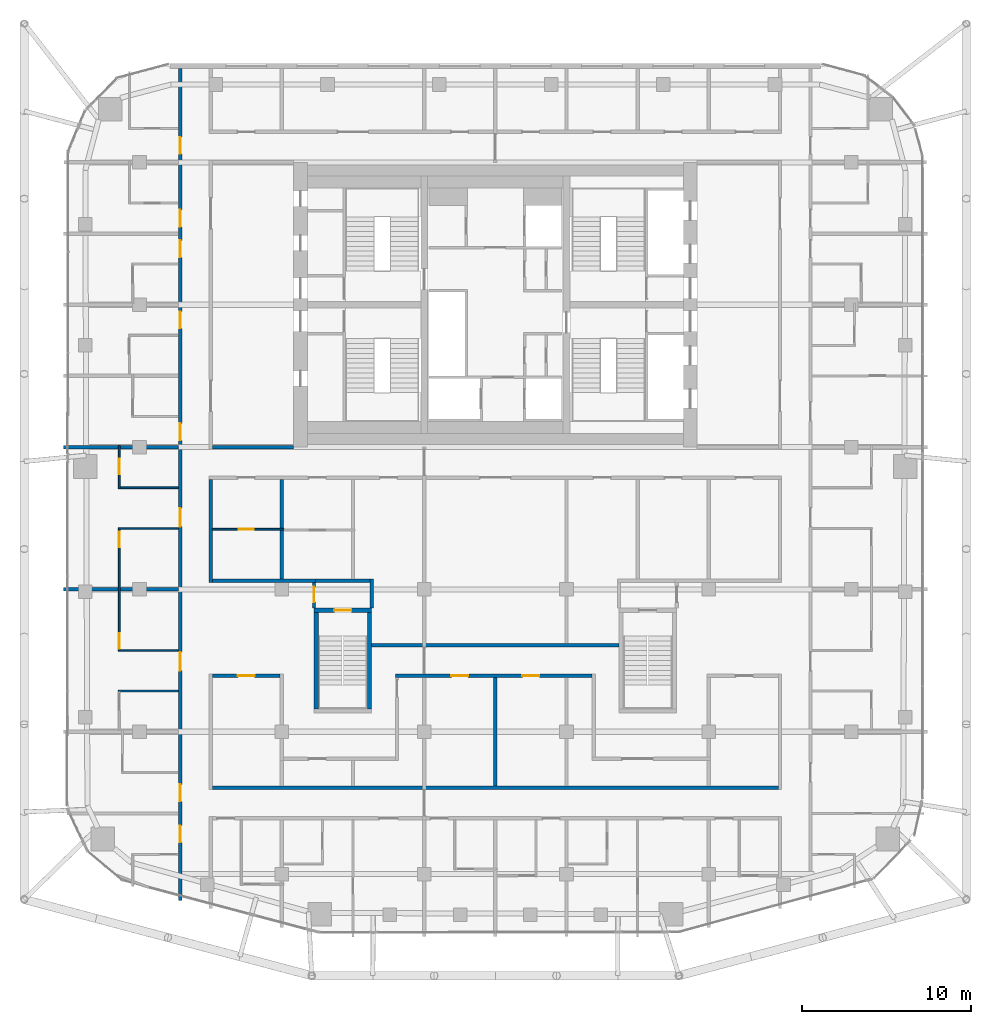
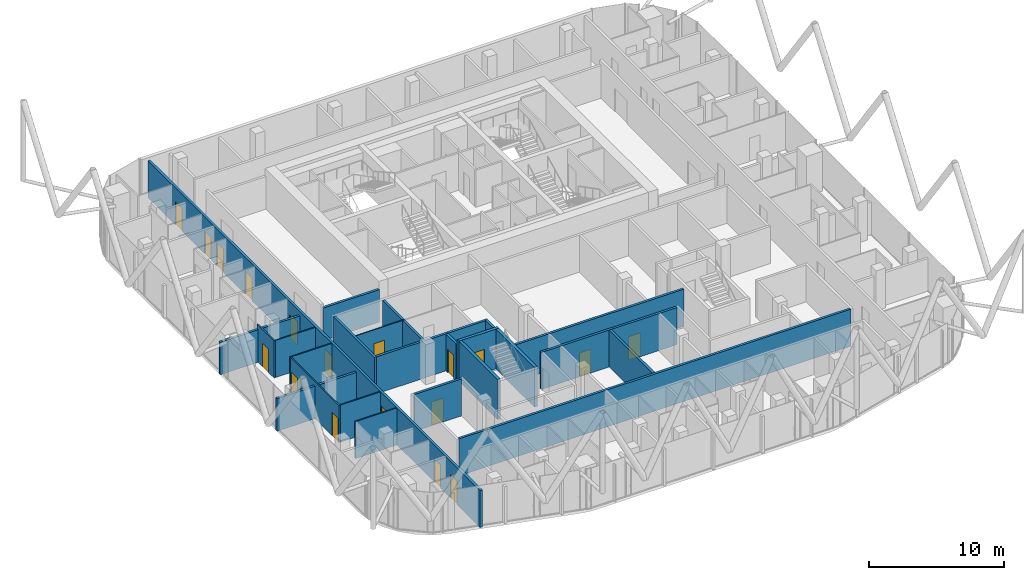
# One storey, part 24 of 31: 25 walls, 18 doors, 18 openings.
"""IFC4 building model written with IfcOpenShell, lengths in metres."""

from ifc_helpers import new_model, si_unit, direction, frame, frame_2d, origin, place, context, subcontext, project, spatial, rectangle, extrude, material, layer, layer_set, type_object, element, fill, save


model = new_model("IFC4")

# Units and contexts
model_context = context("Model", 3, precision=1e-05, world=origin(), true_north=direction((0.0, 1.0)))
body_context = subcontext(model_context, "Body", "Model", "MODEL_VIEW")
ifc_project = project(units=[si_unit("LENGTHUNIT", "METRE"), si_unit("AREAUNIT", "SQUARE_METRE"), si_unit("VOLUMEUNIT", "CUBIC_METRE"), si_unit("PLANEANGLEUNIT", "RADIAN"), si_unit("MASSUNIT", "GRAM", prefix="KILO")], contexts=[model_context])

# Site, building, storey
site_placement = place(None, origin())
site = spatial("IfcSite", under=ifc_project, at=site_placement, CompositionType="ELEMENT")
building_placement = place(site_placement, origin())
building = spatial("IfcBuilding", under=site, at=building_placement, Name="Marenta Gate Hotel Tower", CompositionType="ELEMENT")
storey_placement = place(building_placement, frame((0.0, 0.0, 234.5)))
storey = spatial("IfcBuildingStorey", under=building, at=storey_placement, Name="L55", CompositionType="ELEMENT", Elevation=234.5)

# Wall
ifc_material_1 = material(Name="Concrete blockwork", Category="masonry")
ifc_layer_1 = layer(ifc_material_1, 0.199951171875)
ifc_layer_set_1 = layer_set([ifc_layer_1], Name="Concrete blockwork")
wall_type_1 = type_object("IfcWallType", Name="Core boundary wall 200 REI 180", PredefinedType="PARTITIONING", material=ifc_layer_set_1)
wall_1_placement = place(storey_placement, frame((-16.699951171875, 0.0, 0.0), z_axis=(0.0, 0.0, 1.0), x_axis=(1.0, 0.0, 0.0)))
element("IfcWall", 1, at=wall_1_placement, inside=storey, type_object=wall_type_1, Name="L55-CP-EW-WS", PredefinedType="PARTITIONING", context=body_context, shape_type="SweptSolid", body=[
    extrude(rectangle(XDim=4.800048828125, YDim=0.199951171875, at=frame_2d((2.39990234375, 0.0))), origin(), (0.0, 0.0, 1.0), 2.93994140625),
])

# Wall, opening, door
ifc_material_2 = material(Name="Concrete C40", Category="concrete")
ifc_layer_2 = layer(ifc_material_2, 0.25)
ifc_layer_set_2 = layer_set([ifc_layer_2], Name="Concrete C40")
wall_type_2 = type_object("IfcWallType", Name="Remote stair enclosure wall 250 REI 180", PredefinedType="SHEAR", material=ifc_layer_set_2)
wall_2_placement = place(storey_placement, frame((-10.699951171875, -9.625, 0.10009765625), z_axis=(0.0, 0.0, 1.0), x_axis=(1.0, 0.0, 0.0)))
wall_2 = element("IfcWall", 2, at=wall_2_placement, inside=storey, type_object=wall_type_2, Name="L55-RS-Z3-1-W2", PredefinedType="SHEAR", context=body_context, shape_type="SweptSolid", body=[
    extrude(rectangle(XDim=3.39990234375, YDim=0.25, at=frame_2d((1.699951171875, 0.0))), origin(), (0.0, 0.0, 1.0), 3.599853515625),
])
opening_1_placement = place(wall_2_placement, frame((1.199951171875, 0.0, 0.0)))
opening_1 = element("IfcOpeningElement", 3, at=opening_1_placement, cuts=wall_2, Name="Opening VD", PredefinedType="OPENING", context=body_context, shape_type="SweptSolid", body=[
    extrude(rectangle(XDim=1.0, YDim=2.10009765625, at=frame_2d((0.5, 1.050048828125))), frame((0.0, 0.125, 0.0), z_axis=(0.0, -1.0, 0.0), x_axis=(1.0, 0.0, 0.0)), (0.0, 0.0, 1.0), 0.25),
])
ifc_material_3 = material(Name="Steel", Category="steel")
door_type_1 = type_object("IfcDoorType", Name="Stair vestibule door 1000x2100 FD60", OperationType="SINGLE_SWING_LEFT", PredefinedType="DOOR", material=ifc_material_3)
door_1_placement = place(opening_1_placement, origin())
door_1 = element("IfcDoor", 4, at=door_1_placement, inside=storey, type_object=door_type_1, Name="VD", OperationType="SINGLE_SWING_LEFT", OverallHeight=2.10009765625, OverallWidth=1.0, PredefinedType="DOOR", context=body_context, shape_type="SweptSolid", body=[
    extrude(rectangle(XDim=1.0, YDim=2.10009765625, at=frame_2d((0.5, 1.050048828125))), frame((0.0, 0.02490234375, 0.0), z_axis=(0.0, -1.0, 0.0), x_axis=(1.0, 0.0, 0.0)), (0.0, 0.0, 1.0), 0.050048828125),
])
fill(opening_1, door_1)

# Walls
for number, where, z_axis, x_axis, name in (
    (5, (-10.574951171875, -15.449951171875, 0.10009765625), (0.0, 0.0, 1.0), (0.0, 1.0, 0.0), "L55-RS-Z3-1-W3"),
    (6, (-7.425048828125, -15.449951171875, 0.10009765625), (0.0, 0.0, 1.0), (0.0, 1.0, 0.0), "L55-RS-Z3-1-W4"),
):
    element("IfcWall", number, at=place(storey_placement, frame(where, z_axis=z_axis, x_axis=x_axis)), inside=storey, type_object=wall_type_2, Name=name, PredefinedType="SHEAR", context=body_context, shape_type="SweptSolid", body=[
        extrude(rectangle(XDim=5.699951171875, YDim=0.25, at=frame_2d((2.85009765625, 0.0))), origin(), (0.0, 0.0, 1.0), 3.599853515625),
    ])
ifc_material_4 = material(Name="Concrete blockwork", Category="masonry")
ifc_layer_3 = layer(ifc_material_4, 0.199951171875)
ifc_layer_set_3 = layer_set([ifc_layer_3], Name="Concrete blockwork")
wall_type_3 = type_object("IfcWallType", Name="Room corridor wall 200 EI 120", PredefinedType="PARTITIONING", material=ifc_layer_set_3)
wall_3_placement = place(storey_placement, frame((-16.699951171875, -7.89990234375, 0.0), z_axis=(0.0, 0.0, 1.0), x_axis=(1.0, 0.0, 0.0)))
element("IfcWall", 7, at=wall_3_placement, inside=storey, type_object=wall_type_3, Name="L55-PTN-W052", PredefinedType="PARTITIONING", context=body_context, shape_type="SweptSolid", body=[
    extrude(rectangle(XDim=6.099853515625, YDim=0.199951171875, at=frame_2d((3.0498046875, 0.0))), origin(), (0.0, 0.0, 1.0), 3.340087890625),
])
ifc_material_5 = material(Name="Gypsum board on steel stud", Category="steel")
ifc_layer_4 = layer(ifc_material_5, 0.199951171875)
ifc_layer_set_4 = layer_set([ifc_layer_4], Name="Gypsum board on steel stud")
wall_type_4 = type_object("IfcWallType", Name="Room corridor wall 200 EI 60", PredefinedType="PARTITIONING", material=ifc_layer_set_4)
wall_4_placement = place(storey_placement, frame((-16.699951171875, -20.10009765625, 0.0), z_axis=(0.0, 0.0, 1.0), x_axis=(1.0, 0.0, 0.0)))
element("IfcWall", 8, at=wall_4_placement, inside=storey, type_object=wall_type_4, Name="L55-PTN-W021", PredefinedType="PARTITIONING", context=body_context, shape_type="SweptSolid", body=[
    extrude(rectangle(XDim=33.39990234375, YDim=0.199951171875, at=frame_2d((16.699951171875, 0.0))), origin(), (0.0, 0.0, 1.0), 3.340087890625),
])

# Wall, opening, door
wall_5_placement = place(storey_placement, frame((-16.699951171875, -13.5, 0.0), z_axis=(0.0, 0.0, 1.0), x_axis=(1.0, 0.0, 0.0)))
wall_5 = element("IfcWall", 9, at=wall_5_placement, inside=storey, type_object=wall_type_4, Name="L55-PTN-W035", PredefinedType="PARTITIONING", context=body_context, shape_type="SweptSolid", body=[
    extrude(rectangle(XDim=4.0, YDim=0.199951171875, at=frame_2d((2.0, 0.0))), origin(), (0.0, 0.0, 1.0), 3.340087890625),
])
opening_2_placement = place(wall_5_placement, frame((1.5, 0.0, 0.0)))
opening_2 = element("IfcOpeningElement", 10, at=opening_2_placement, cuts=wall_5, Name="Opening G20-10", PredefinedType="OPENING", context=body_context, shape_type="SweptSolid", body=[
    extrude(rectangle(XDim=1.0, YDim=2.10009765625, at=frame_2d((0.5, 1.050048828125))), frame((0.0, 0.10009765625, 0.0), z_axis=(0.0, -1.0, 0.0), x_axis=(1.0, 0.0, 0.0)), (0.0, 0.0, 1.0), 0.199951171875),
])
ifc_material_6 = material(Name="Timber door leaf", Category="wood")
door_type_2 = type_object("IfcDoorType", Name="Room amenity door 1000x2100 EI 30", OperationType="NOTDEFINED", PredefinedType="DOOR", material=ifc_material_6)
door_2_placement = place(opening_2_placement, origin())
door_2 = element("IfcDoor", 11, at=door_2_placement, inside=storey, type_object=door_type_2, Name="L55-PD-D010", OperationType="SINGLE_SWING_RIGHT", OverallHeight=2.10009765625, OverallWidth=1.0, PredefinedType="DOOR", context=body_context, shape_type="SweptSolid", body=[
    extrude(rectangle(XDim=1.0, YDim=2.10009765625, at=frame_2d((0.5, 1.050048828125))), frame((0.0, 0.02490234375, 0.0), z_axis=(0.0, -1.0, 0.0), x_axis=(1.0, 0.0, 0.0)), (0.0, 0.0, 1.0), 0.050048828125),
])
fill(opening_2, door_2)

# Wall, openings, doors
wall_6_placement = place(storey_placement, frame((-5.89990234375, -13.5, 0.0), z_axis=(0.0, 0.0, 1.0), x_axis=(1.0, 0.0, 0.0)))
wall_6 = element("IfcWall", 12, at=wall_6_placement, inside=storey, type_object=wall_type_4, Name="L55-PTN-W036", PredefinedType="PARTITIONING", context=body_context, shape_type="SweptSolid", body=[
    extrude(rectangle(XDim=11.599853515625, YDim=0.199951171875, at=frame_2d((5.7998046875, 0.0))), origin(), (0.0, 0.0, 1.0), 3.340087890625),
])
opening_3_placement = place(wall_6_placement, frame((3.300048828125, 0.0, 0.0)))
opening_3 = element("IfcOpeningElement", 13, at=opening_3_placement, cuts=wall_6, Name="Opening G20-13", PredefinedType="OPENING", context=body_context, shape_type="SweptSolid", body=[
    extrude(rectangle(XDim=1.0, YDim=2.10009765625, at=frame_2d((0.5, 1.050048828125))), frame((0.0, 0.10009765625, 0.0), z_axis=(0.0, -1.0, 0.0), x_axis=(1.0, 0.0, 0.0)), (0.0, 0.0, 1.0), 0.199951171875),
])
opening_4_placement = place(wall_6_placement, frame((7.5, 0.0, 0.0)))
opening_4 = element("IfcOpeningElement", 14, at=opening_4_placement, cuts=wall_6, Name="Opening G20-14", PredefinedType="OPENING", context=body_context, shape_type="SweptSolid", body=[
    extrude(rectangle(XDim=1.0, YDim=2.10009765625, at=frame_2d((0.5, 1.050048828125))), frame((0.0, 0.10009765625, 0.0), z_axis=(0.0, -1.0, 0.0), x_axis=(1.0, 0.0, 0.0)), (0.0, 0.0, 1.0), 0.199951171875),
])
door_3_placement = place(opening_3_placement, origin())
door_3 = element("IfcDoor", 15, at=door_3_placement, inside=storey, type_object=door_type_2, Name="L55-PD-D013", OperationType="SINGLE_SWING_LEFT", OverallHeight=2.10009765625, OverallWidth=1.0, PredefinedType="DOOR", context=body_context, shape_type="SweptSolid", body=[
    extrude(rectangle(XDim=1.0, YDim=2.10009765625, at=frame_2d((0.5, 1.050048828125))), frame((0.0, 0.02490234375, 0.0), z_axis=(0.0, -1.0, 0.0), x_axis=(1.0, 0.0, 0.0)), (0.0, 0.0, 1.0), 0.050048828125),
])
fill(opening_3, door_3)
door_4_placement = place(opening_4_placement, origin())
door_4 = element("IfcDoor", 16, at=door_4_placement, inside=storey, type_object=door_type_2, Name="L55-PD-D014", OperationType="SINGLE_SWING_RIGHT", OverallHeight=2.10009765625, OverallWidth=1.0, PredefinedType="DOOR", context=body_context, shape_type="SweptSolid", body=[
    extrude(rectangle(XDim=1.0, YDim=2.10009765625, at=frame_2d((0.5, 1.050048828125))), frame((0.0, 0.02490234375, 0.0), z_axis=(0.0, -1.0, 0.0), x_axis=(1.0, 0.0, 0.0)), (0.0, 0.0, 1.0), 0.050048828125),
])
fill(opening_4, door_4)

# Walls
wall_7_placement = place(storey_placement, frame((-7.300048828125, -11.699951171875, 0.0), z_axis=(0.0, 0.0, 1.0), x_axis=(1.0, 0.0, 0.0)))
element("IfcWall", 17, at=wall_7_placement, inside=storey, type_object=wall_type_4, Name="L55-PTN-W045", PredefinedType="PARTITIONING", context=body_context, shape_type="SweptSolid", body=[
    extrude(rectangle(XDim=14.60009765625, YDim=0.199951171875, at=frame_2d((7.300048828125, 0.0))), origin(), (0.0, 0.0, 1.0), 3.340087890625),
])
wall_8_placement = place(storey_placement, frame((-16.800048828125, -8.0, 0.0), z_axis=(0.0, 0.0, 1.0), x_axis=(0.0, 1.0, 0.0)))
element("IfcWall", 18, at=wall_8_placement, inside=storey, type_object=wall_type_4, Name="L55-PTN-W109", PredefinedType="PARTITIONING", context=body_context, shape_type="SweptSolid", body=[
    extrude(rectangle(XDim=6.10009765625, YDim=0.199951171875, at=frame_2d((3.050048828125, 0.0))), origin(), (0.0, 0.0, 1.0), 3.340087890625),
])

# Wall, openings, doors
wall_9_placement = place(storey_placement, frame((-18.60009765625, -26.7509765625, 0.0), z_axis=(0.0, 0.0, 1.0), x_axis=(0.0, 1.0, 0.0)))
wall_9 = element("IfcWall", 19, at=wall_9_placement, inside=storey, type_object=wall_type_4, Name="L55-PTN-W113", PredefinedType="PARTITIONING", context=body_context, shape_type="SweptSolid", body=[
    extrude(rectangle(XDim=49.091064453125, YDim=0.199951171875, at=frame_2d((24.54541015625, 0.0))), origin(), (0.0, 0.0, 1.0), 3.340087890625),
])
opening_5_placement = place(wall_9_placement, frame((3.4130859375, 0.0, 0.0)))
opening_5 = element("IfcOpeningElement", 20, at=opening_5_placement, cuts=wall_9, Name="Opening G20-52", PredefinedType="OPENING", context=body_context, shape_type="SweptSolid", body=[
    extrude(rectangle(XDim=1.0, YDim=2.10009765625, at=frame_2d((0.5, 1.050048828125))), frame((0.0, 0.10009765625, 0.0), z_axis=(0.0, -1.0, 0.0), x_axis=(1.0, 0.0, 0.0)), (0.0, 0.0, 1.0), 0.199951171875),
])
opening_6_placement = place(wall_9_placement, frame((5.837890625, 0.0, 0.0)))
opening_6 = element("IfcOpeningElement", 21, at=opening_6_placement, cuts=wall_9, Name="Opening G20-54", PredefinedType="OPENING", context=body_context, shape_type="SweptSolid", body=[
    extrude(rectangle(XDim=1.0, YDim=2.10009765625, at=frame_2d((0.5, 1.050048828125))), frame((0.0, 0.10009765625, 0.0), z_axis=(0.0, -1.0, 0.0), x_axis=(1.0, 0.0, 0.0)), (0.0, 0.0, 1.0), 0.199951171875),
])
opening_7_placement = place(wall_9_placement, frame((13.551025390625, 0.0, 0.0)))
opening_7 = element("IfcOpeningElement", 22, at=opening_7_placement, cuts=wall_9, Name="Opening G20-56", PredefinedType="OPENING", context=body_context, shape_type="SweptSolid", body=[
    extrude(rectangle(XDim=1.10009765625, YDim=2.10009765625, at=frame_2d((0.550048828125, 1.050048828125))), frame((0.0, 0.10009765625, 0.0), z_axis=(0.0, -1.0, 0.0), x_axis=(1.0, 0.0, 0.0)), (0.0, 0.0, 1.0), 0.199951171875),
])
opening_8_placement = place(wall_9_placement, frame((22.051025390625, 0.0, 0.0)))
opening_8 = element("IfcOpeningElement", 23, at=opening_8_placement, cuts=wall_9, Name="Opening G20-59", PredefinedType="OPENING", context=body_context, shape_type="SweptSolid", body=[
    extrude(rectangle(XDim=1.10009765625, YDim=2.10009765625, at=frame_2d((0.550048828125, 1.050048828125))), frame((0.0, 0.10009765625, 0.0), z_axis=(0.0, -1.0, 0.0), x_axis=(1.0, 0.0, 0.0)), (0.0, 0.0, 1.0), 0.199951171875),
])
opening_9_placement = place(wall_9_placement, frame((27.15087890625, 0.0, 0.0)))
opening_9 = element("IfcOpeningElement", 24, at=opening_9_placement, cuts=wall_9, Name="Opening G20-62", PredefinedType="OPENING", context=body_context, shape_type="SweptSolid", body=[
    extrude(rectangle(XDim=1.0, YDim=2.10009765625, at=frame_2d((0.5, 1.050048828125))), frame((0.0, 0.10009765625, 0.0), z_axis=(0.0, -1.0, 0.0), x_axis=(1.0, 0.0, 0.0)), (0.0, 0.0, 1.0), 0.199951171875),
])
opening_10_placement = place(wall_9_placement, frame((33.7509765625, 0.0, 0.0)))
opening_10 = element("IfcOpeningElement", 25, at=opening_10_placement, cuts=wall_9, Name="Opening G20-64", PredefinedType="OPENING", context=body_context, shape_type="SweptSolid", body=[
    extrude(rectangle(XDim=1.0, YDim=2.10009765625, at=frame_2d((0.5, 1.050048828125))), frame((0.0, 0.10009765625, 0.0), z_axis=(0.0, -1.0, 0.0), x_axis=(1.0, 0.0, 0.0)), (0.0, 0.0, 1.0), 0.199951171875),
])
opening_11_placement = place(wall_9_placement, frame((37.950927734375, 0.0, 0.0)))
opening_11 = element("IfcOpeningElement", 26, at=opening_11_placement, cuts=wall_9, Name="Opening G20-66", PredefinedType="OPENING", context=body_context, shape_type="SweptSolid", body=[
    extrude(rectangle(XDim=1.0, YDim=2.10009765625, at=frame_2d((0.5, 1.050048828125))), frame((0.0, 0.10009765625, 0.0), z_axis=(0.0, -1.0, 0.0), x_axis=(1.0, 0.0, 0.0)), (0.0, 0.0, 1.0), 0.199951171875),
])
opening_12_placement = place(wall_9_placement, frame((39.7509765625, 0.0, 0.0)))
opening_12 = element("IfcOpeningElement", 27, at=opening_12_placement, cuts=wall_9, Name="Opening G20-68", PredefinedType="OPENING", context=body_context, shape_type="SweptSolid", body=[
    extrude(rectangle(XDim=1.0, YDim=2.10009765625, at=frame_2d((0.5, 1.050048828125))), frame((0.0, 0.10009765625, 0.0), z_axis=(0.0, -1.0, 0.0), x_axis=(1.0, 0.0, 0.0)), (0.0, 0.0, 1.0), 0.199951171875),
])
opening_13_placement = place(wall_9_placement, frame((44.051025390625, 0.0, 0.0)))
opening_13 = element("IfcOpeningElement", 28, at=opening_13_placement, cuts=wall_9, Name="Opening G20-70", PredefinedType="OPENING", context=body_context, shape_type="SweptSolid", body=[
    extrude(rectangle(XDim=1.0, YDim=2.10009765625, at=frame_2d((0.5, 1.050048828125))), frame((0.0, 0.10009765625, 0.0), z_axis=(0.0, -1.0, 0.0), x_axis=(1.0, 0.0, 0.0)), (0.0, 0.0, 1.0), 0.199951171875),
])
ifc_material_7 = material(Name="Timber door leaf", Category="wood")
door_type_3 = type_object("IfcDoorType", Name="Guest room door 1000x2100 EI 30", OperationType="NOTDEFINED", PredefinedType="DOOR", material=ifc_material_7)
door_5_placement = place(opening_5_placement, origin())
door_5 = element("IfcDoor", 29, at=door_5_placement, inside=storey, type_object=door_type_3, Name="L55-PD-D052", OperationType="SINGLE_SWING_LEFT", OverallHeight=2.10009765625, OverallWidth=1.0, PredefinedType="DOOR", context=body_context, shape_type="SweptSolid", body=[
    extrude(rectangle(XDim=1.0, YDim=2.10009765625, at=frame_2d((0.5, 1.050048828125))), frame((0.0, 0.02490234375, 0.0), z_axis=(0.0, -1.0, 0.0), x_axis=(1.0, 0.0, 0.0)), (0.0, 0.0, 1.0), 0.050048828125),
])
fill(opening_5, door_5)
door_6_placement = place(opening_6_placement, origin())
door_6 = element("IfcDoor", 30, at=door_6_placement, inside=storey, type_object=door_type_3, Name="L55-PD-D054", OperationType="SINGLE_SWING_LEFT", OverallHeight=2.10009765625, OverallWidth=1.0, PredefinedType="DOOR", context=body_context, shape_type="SweptSolid", body=[
    extrude(rectangle(XDim=1.0, YDim=2.10009765625, at=frame_2d((0.5, 1.050048828125))), frame((0.0, 0.02490234375, 0.0), z_axis=(0.0, -1.0, 0.0), x_axis=(1.0, 0.0, 0.0)), (0.0, 0.0, 1.0), 0.050048828125),
])
fill(opening_6, door_6)
door_7_placement = place(opening_9_placement, origin())
door_7 = element("IfcDoor", 31, at=door_7_placement, inside=storey, type_object=door_type_3, Name="L55-PD-D062", OperationType="SINGLE_SWING_LEFT", OverallHeight=2.10009765625, OverallWidth=1.0, PredefinedType="DOOR", context=body_context, shape_type="SweptSolid", body=[
    extrude(rectangle(XDim=1.0, YDim=2.10009765625, at=frame_2d((0.5, 1.050048828125))), frame((0.0, 0.02490234375, 0.0), z_axis=(0.0, -1.0, 0.0), x_axis=(1.0, 0.0, 0.0)), (0.0, 0.0, 1.0), 0.050048828125),
])
fill(opening_9, door_7)
door_8_placement = place(opening_10_placement, origin())
door_8 = element("IfcDoor", 32, at=door_8_placement, inside=storey, type_object=door_type_3, Name="L55-PD-D064", OperationType="SINGLE_SWING_LEFT", OverallHeight=2.10009765625, OverallWidth=1.0, PredefinedType="DOOR", context=body_context, shape_type="SweptSolid", body=[
    extrude(rectangle(XDim=1.0, YDim=2.10009765625, at=frame_2d((0.5, 1.050048828125))), frame((0.0, 0.02490234375, 0.0), z_axis=(0.0, -1.0, 0.0), x_axis=(1.0, 0.0, 0.0)), (0.0, 0.0, 1.0), 0.050048828125),
])
fill(opening_10, door_8)
door_9_placement = place(opening_11_placement, origin())
door_9 = element("IfcDoor", 33, at=door_9_placement, inside=storey, type_object=door_type_3, Name="L55-PD-D066", OperationType="SINGLE_SWING_LEFT", OverallHeight=2.10009765625, OverallWidth=1.0, PredefinedType="DOOR", context=body_context, shape_type="SweptSolid", body=[
    extrude(rectangle(XDim=1.0, YDim=2.10009765625, at=frame_2d((0.5, 1.050048828125))), frame((0.0, 0.02490234375, 0.0), z_axis=(0.0, -1.0, 0.0), x_axis=(1.0, 0.0, 0.0)), (0.0, 0.0, 1.0), 0.050048828125),
])
fill(opening_11, door_9)
door_10_placement = place(opening_12_placement, origin())
door_10 = element("IfcDoor", 34, at=door_10_placement, inside=storey, type_object=door_type_3, Name="L55-PD-D068", OperationType="SINGLE_SWING_LEFT", OverallHeight=2.10009765625, OverallWidth=1.0, PredefinedType="DOOR", context=body_context, shape_type="SweptSolid", body=[
    extrude(rectangle(XDim=1.0, YDim=2.10009765625, at=frame_2d((0.5, 1.050048828125))), frame((0.0, 0.02490234375, 0.0), z_axis=(0.0, -1.0, 0.0), x_axis=(1.0, 0.0, 0.0)), (0.0, 0.0, 1.0), 0.050048828125),
])
fill(opening_12, door_10)
door_11_placement = place(opening_13_placement, origin())
door_11 = element("IfcDoor", 35, at=door_11_placement, inside=storey, type_object=door_type_3, Name="L55-PD-D070", OperationType="SINGLE_SWING_LEFT", OverallHeight=2.10009765625, OverallWidth=1.0, PredefinedType="DOOR", context=body_context, shape_type="SweptSolid", body=[
    extrude(rectangle(XDim=1.0, YDim=2.10009765625, at=frame_2d((0.5, 1.050048828125))), frame((0.0, 0.02490234375, 0.0), z_axis=(0.0, -1.0, 0.0), x_axis=(1.0, 0.0, 0.0)), (0.0, 0.0, 1.0), 0.050048828125),
])
fill(opening_13, door_11)
ifc_material_8 = material(Name="Timber door leaf", Category="wood")
door_type_4 = type_object("IfcDoorType", Name="Guest room door 1100x2100 EI 30", OperationType="NOTDEFINED", PredefinedType="DOOR", material=ifc_material_8)
door_12_placement = place(opening_7_placement, origin())
door_12 = element("IfcDoor", 36, at=door_12_placement, inside=storey, type_object=door_type_4, Name="L55-PD-D056", OperationType="SINGLE_SWING_RIGHT", OverallHeight=2.10009765625, OverallWidth=1.10009765625, PredefinedType="DOOR", context=body_context, shape_type="SweptSolid", body=[
    extrude(rectangle(XDim=1.10009765625, YDim=2.10009765625, at=frame_2d((0.550048828125, 1.050048828125))), frame((0.0, 0.02490234375, 0.0), z_axis=(0.0, -1.0, 0.0), x_axis=(1.0, 0.0, 0.0)), (0.0, 0.0, 1.0), 0.050048828125),
])
fill(opening_7, door_12)
door_13_placement = place(opening_8_placement, origin())
door_13 = element("IfcDoor", 37, at=door_13_placement, inside=storey, type_object=door_type_4, Name="L55-PD-D059", OperationType="SINGLE_SWING_LEFT", OverallHeight=2.10009765625, OverallWidth=1.10009765625, PredefinedType="DOOR", context=body_context, shape_type="SweptSolid", body=[
    extrude(rectangle(XDim=1.10009765625, YDim=2.10009765625, at=frame_2d((0.550048828125, 1.050048828125))), frame((0.0, 0.02490234375, 0.0), z_axis=(0.0, -1.0, 0.0), x_axis=(1.0, 0.0, 0.0)), (0.0, 0.0, 1.0), 0.050048828125),
])
fill(opening_8, door_13)

# Wall, opening, door
ifc_material_9 = material(Name="Concrete blockwork", Category="masonry")
ifc_layer_5 = layer(ifc_material_9, 0.199951171875)
ifc_layer_set_5 = layer_set([ifc_layer_5], Name="Concrete blockwork")
wall_type_5 = type_object("IfcWallType", Name="Room corridor wall 200 REI 180", PredefinedType="PARTITIONING", material=ifc_layer_set_5)
wall_10_placement = place(storey_placement, frame((-10.699951171875, -9.5, 0.0), z_axis=(0.0, 0.0, 1.0), x_axis=(0.0, 1.0, 0.0)))
wall_10 = element("IfcWall", 38, at=wall_10_placement, inside=storey, type_object=wall_type_5, Name="L55-PTN-W094", PredefinedType="PARTITIONING", context=body_context, shape_type="SweptSolid", body=[
    extrude(rectangle(XDim=1.5, YDim=0.199951171875, at=frame_2d((0.75, 0.0))), origin(), (0.0, 0.0, 1.0), 3.340087890625),
])
opening_14_placement = place(wall_10_placement, frame((0.35009765625, 0.0, 0.0)))
opening_14 = element("IfcOpeningElement", 39, at=opening_14_placement, cuts=wall_10, Name="Opening G20-72", PredefinedType="OPENING", context=body_context, shape_type="SweptSolid", body=[
    extrude(rectangle(XDim=0.89990234375, YDim=2.10009765625, at=frame_2d((0.449951171875, 1.050048828125))), frame((0.0, 0.10009765625, 0.0), z_axis=(0.0, -1.0, 0.0), x_axis=(1.0, 0.0, 0.0)), (0.0, 0.0, 1.0), 0.199951171875),
])
ifc_material_10 = material(Name="Hollow steel door set", Category="steel")
door_type_5 = type_object("IfcDoorType", Name="Stair vestibule door 900x2100 EI 60", OperationType="NOTDEFINED", PredefinedType="DOOR", material=ifc_material_10)
door_14_placement = place(opening_14_placement, origin())
door_14 = element("IfcDoor", 40, at=door_14_placement, inside=storey, type_object=door_type_5, Name="L55-PD-D072", OperationType="SINGLE_SWING_LEFT", OverallHeight=2.10009765625, OverallWidth=0.89990234375, PredefinedType="DOOR", context=body_context, shape_type="SweptSolid", body=[
    extrude(rectangle(XDim=0.89990234375, YDim=2.10009765625, at=frame_2d((0.449951171875, 1.050048828125))), frame((0.0, 0.02490234375, 0.0), z_axis=(0.0, -1.0, 0.0), x_axis=(1.0, 0.0, 0.0)), (0.0, 0.0, 1.0), 0.050048828125),
])
fill(opening_14, door_14)

# Walls
ifc_material_11 = material(Name="Gypsum board on steel stud", Category="steel")
ifc_layer_6 = layer(ifc_material_11, 0.10009765625)
ifc_layer_set_6 = layer_set([ifc_layer_6], Name="Gypsum board on steel stud")
wall_type_6 = type_object("IfcWallType", Name="Room partition 100", PredefinedType="PARTITIONING", material=ifc_layer_set_6)
wall_11_placement = place(storey_placement, frame((-22.25, -14.39990234375, 0.0), z_axis=(0.0, 0.0, 1.0), x_axis=(1.0, 0.0, 0.0)))
element("IfcWall", 41, at=wall_11_placement, inside=storey, type_object=wall_type_6, Name="L55-PTN-W033", PredefinedType="PARTITIONING", context=body_context, shape_type="SweptSolid", body=[
    extrude(rectangle(XDim=3.550048828125, YDim=0.10009765625, at=frame_2d((1.77490234375, 0.0))), origin(), (0.0, 0.0, 1.0), 3.340087890625),
])
wall_12_placement = place(storey_placement, frame((-22.14990234375, -12.0, 0.0), z_axis=(0.0, 0.0, 1.0), x_axis=(1.0, 0.0, 0.0)))
element("IfcWall", 42, at=wall_12_placement, inside=storey, type_object=wall_type_6, Name="L55-PTN-W043", PredefinedType="PARTITIONING", context=body_context, shape_type="SweptSolid", body=[
    extrude(rectangle(XDim=3.449951171875, YDim=0.10009765625, at=frame_2d((1.72509765625, 0.0))), origin(), (0.0, 0.0, 1.0), 3.340087890625),
])

# Wall, opening, door
wall_13_placement = place(storey_placement, frame((-16.699951171875, -4.85009765625, 0.0), z_axis=(0.0, 0.0, 1.0), x_axis=(1.0, 0.0, 0.0)))
wall_13 = element("IfcWall", 43, at=wall_13_placement, inside=storey, type_object=wall_type_6, Name="L55-PTN-W060", PredefinedType="PARTITIONING", context=body_context, shape_type="SweptSolid", body=[
    extrude(rectangle(XDim=4.199951171875, YDim=0.10009765625, at=frame_2d((2.10009765625, 0.0))), origin(), (0.0, 0.0, 1.0), 3.340087890625),
])
opening_15_placement = place(wall_13_placement, frame((1.550048828125, 0.0, 0.0)))
opening_15 = element("IfcOpeningElement", 44, at=opening_15_placement, cuts=wall_13, Name="Opening G20-02", PredefinedType="OPENING", context=body_context, shape_type="SweptSolid", body=[
    extrude(rectangle(XDim=0.89990234375, YDim=2.10009765625, at=frame_2d((0.449951171875, 1.050048828125))), frame((0.0, 0.050048828125, 0.0), z_axis=(0.0, -1.0, 0.0), x_axis=(1.0, 0.0, 0.0)), (0.0, 0.0, 1.0), 0.10009765625),
])
ifc_material_12 = material(Name="Timber door leaf", Category="wood")
door_type_6 = type_object("IfcDoorType", Name="Room inner door 900x2100", OperationType="NOTDEFINED", PredefinedType="DOOR", material=ifc_material_12)
door_15_placement = place(opening_15_placement, origin())
door_15 = element("IfcDoor", 45, at=door_15_placement, inside=storey, type_object=door_type_6, Name="L55-PD-D002", OperationType="SINGLE_SWING_RIGHT", OverallHeight=2.10009765625, OverallWidth=0.89990234375, PredefinedType="DOOR", context=body_context, shape_type="SweptSolid", body=[
    extrude(rectangle(XDim=0.89990234375, YDim=2.10009765625, at=frame_2d((0.449951171875, 1.050048828125))), frame((0.0, 0.02490234375, 0.0), z_axis=(0.0, -1.0, 0.0), x_axis=(1.0, 0.0, 0.0)), (0.0, 0.0, 1.0), 0.050048828125),
])
fill(opening_15, door_15)

# Walls
wall_14_placement = place(storey_placement, frame((-22.25, -4.800048828125, 0.0), z_axis=(0.0, 0.0, 1.0), x_axis=(1.0, 0.0, 0.0)))
element("IfcWall", 46, at=wall_14_placement, inside=storey, type_object=wall_type_6, Name="L55-PTN-W061", PredefinedType="PARTITIONING", context=body_context, shape_type="SweptSolid", body=[
    extrude(rectangle(XDim=3.550048828125, YDim=0.10009765625, at=frame_2d((1.77490234375, 0.0))), origin(), (0.0, 0.0, 1.0), 3.340087890625),
])
wall_15_placement = place(storey_placement, frame((-22.14990234375, -2.39990234375, 0.0), z_axis=(0.0, 0.0, 1.0), x_axis=(1.0, 0.0, 0.0)))
element("IfcWall", 47, at=wall_15_placement, inside=storey, type_object=wall_type_6, Name="L55-PTN-W068", PredefinedType="PARTITIONING", context=body_context, shape_type="SweptSolid", body=[
    extrude(rectangle(XDim=3.449951171875, YDim=0.10009765625, at=frame_2d((1.72509765625, 0.0))), origin(), (0.0, 0.0, 1.0), 3.340087890625),
])

# Wall, openings, doors
wall_16_placement = place(storey_placement, frame((-22.199951171875, -12.050048828125, 0.0), z_axis=(0.0, 0.0, 1.0), x_axis=(0.0, 1.0, 0.0)))
wall_16 = element("IfcWall", 48, at=wall_16_placement, inside=storey, type_object=wall_type_6, Name="L55-PTN-W125", PredefinedType="PARTITIONING", context=body_context, shape_type="SweptSolid", body=[
    extrude(rectangle(XDim=7.199951171875, YDim=0.10009765625, at=frame_2d((3.60009765625, 0.0))), origin(), (0.0, 0.0, 1.0), 3.340087890625),
])
opening_16_placement = place(wall_16_placement, frame((0.14990234375, 0.0, 0.0)))
opening_16 = element("IfcOpeningElement", 49, at=opening_16_placement, cuts=wall_16, Name="Opening G20-57", PredefinedType="OPENING", context=body_context, shape_type="SweptSolid", body=[
    extrude(rectangle(XDim=0.89990234375, YDim=2.10009765625, at=frame_2d((0.449951171875, 1.050048828125))), frame((0.0, 0.050048828125, 0.0), z_axis=(0.0, -1.0, 0.0), x_axis=(1.0, 0.0, 0.0)), (0.0, 0.0, 1.0), 0.10009765625),
])
opening_17_placement = place(wall_16_placement, frame((6.14990234375, 0.0, 0.0)))
opening_17 = element("IfcOpeningElement", 50, at=opening_17_placement, cuts=wall_16, Name="Opening G20-60", PredefinedType="OPENING", context=body_context, shape_type="SweptSolid", body=[
    extrude(rectangle(XDim=0.89990234375, YDim=2.10009765625, at=frame_2d((0.449951171875, 1.050048828125))), frame((0.0, 0.050048828125, 0.0), z_axis=(0.0, -1.0, 0.0), x_axis=(1.0, 0.0, 0.0)), (0.0, 0.0, 1.0), 0.10009765625),
])
ifc_material_13 = material(Name="Timber door leaf", Category="wood")
door_type_7 = type_object("IfcDoorType", Name="Guest bathroom door 900x2100", OperationType="NOTDEFINED", PredefinedType="DOOR", material=ifc_material_13)
door_16_placement = place(opening_16_placement, origin())
door_16 = element("IfcDoor", 51, at=door_16_placement, inside=storey, type_object=door_type_7, Name="L55-PD-D057", OperationType="SINGLE_SWING_RIGHT", OverallHeight=2.10009765625, OverallWidth=0.89990234375, PredefinedType="DOOR", context=body_context, shape_type="SweptSolid", body=[
    extrude(rectangle(XDim=0.89990234375, YDim=2.10009765625, at=frame_2d((0.449951171875, 1.050048828125))), frame((0.0, 0.02490234375, 0.0), z_axis=(0.0, -1.0, 0.0), x_axis=(1.0, 0.0, 0.0)), (0.0, 0.0, 1.0), 0.050048828125),
])
fill(opening_16, door_16)
door_17_placement = place(opening_17_placement, origin())
door_17 = element("IfcDoor", 52, at=door_17_placement, inside=storey, type_object=door_type_7, Name="L55-PD-D060", OperationType="SINGLE_SWING_LEFT", OverallHeight=2.10009765625, OverallWidth=0.89990234375, PredefinedType="DOOR", context=body_context, shape_type="SweptSolid", body=[
    extrude(rectangle(XDim=0.89990234375, YDim=2.10009765625, at=frame_2d((0.449951171875, 1.050048828125))), frame((0.0, 0.02490234375, 0.0), z_axis=(0.0, -1.0, 0.0), x_axis=(1.0, 0.0, 0.0)), (0.0, 0.0, 1.0), 0.050048828125),
])
fill(opening_17, door_17)

# Wall, opening, door
wall_17_placement = place(storey_placement, frame((-22.199951171875, -2.449951171875, 0.0), z_axis=(0.0, 0.0, 1.0), x_axis=(0.0, 1.0, 0.0)))
wall_17 = element("IfcWall", 53, at=wall_17_placement, inside=storey, type_object=wall_type_6, Name="L55-PTN-W126", PredefinedType="PARTITIONING", context=body_context, shape_type="SweptSolid", body=[
    extrude(rectangle(XDim=2.550048828125, YDim=0.10009765625, at=frame_2d((1.27490234375, 0.0))), origin(), (0.0, 0.0, 1.0), 3.340087890625),
])
opening_18_placement = place(wall_17_placement, frame((0.85009765625, 0.0, 0.0)))
opening_18 = element("IfcOpeningElement", 54, at=opening_18_placement, cuts=wall_17, Name="Opening G20-61", PredefinedType="OPENING", context=body_context, shape_type="SweptSolid", body=[
    extrude(rectangle(XDim=0.89990234375, YDim=2.10009765625, at=frame_2d((0.449951171875, 1.050048828125))), frame((0.0, 0.050048828125, 0.0), z_axis=(0.0, -1.0, 0.0), x_axis=(1.0, 0.0, 0.0)), (0.0, 0.0, 1.0), 0.10009765625),
])
door_18_placement = place(opening_18_placement, origin())
door_18 = element("IfcDoor", 55, at=door_18_placement, inside=storey, type_object=door_type_6, Name="L55-PD-D061", OperationType="SINGLE_SWING_LEFT", OverallHeight=2.10009765625, OverallWidth=0.89990234375, PredefinedType="DOOR", context=body_context, shape_type="SweptSolid", body=[
    extrude(rectangle(XDim=0.89990234375, YDim=2.10009765625, at=frame_2d((0.449951171875, 1.050048828125))), frame((0.0, 0.02490234375, 0.0), z_axis=(0.0, -1.0, 0.0), x_axis=(1.0, 0.0, 0.0)), (0.0, 0.0, 1.0), 0.050048828125),
])
fill(opening_18, door_18)

# Walls
ifc_material_14 = material(Name="Concrete blockwork", Category="masonry")
ifc_layer_7 = layer(ifc_material_14, 0.199951171875)
ifc_layer_set_7 = layer_set([ifc_layer_7], Name="Concrete blockwork")
wall_type_7 = type_object("IfcWallType", Name="Room party wall 200 EI 120", PredefinedType="PARTITIONING", material=ifc_layer_set_7)
wall_18_placement = place(storey_placement, frame((-12.60009765625, -7.800048828125, 0.0), z_axis=(0.0, 0.0, 1.0), x_axis=(0.0, 1.0, 0.0)))
element("IfcWall", 56, at=wall_18_placement, inside=storey, type_object=wall_type_7, Name="L55-PTN-W099", PredefinedType="PARTITIONING", context=body_context, shape_type="SweptSolid", body=[
    extrude(rectangle(XDim=5.900146484375, YDim=0.199951171875, at=frame_2d((2.9501953125, 0.0))), origin(), (0.0, 0.0, 1.0), 3.340087890625),
])
ifc_material_15 = material(Name="Gypsum board on steel stud", Category="steel")
ifc_layer_8 = layer(ifc_material_15, 0.199951171875)
ifc_layer_set_8 = layer_set([ifc_layer_8], Name="Gypsum board on steel stud")
wall_type_8 = type_object("IfcWallType", Name="Room party wall 200 EI 60", PredefinedType="PARTITIONING", material=ifc_layer_set_8)
wall_19_placement = place(storey_placement, frame((-25.5, -8.39990234375, 0.0), z_axis=(0.0, 0.0, 1.0), x_axis=(1.0, 0.0, 0.0)))
element("IfcWall", 57, at=wall_19_placement, inside=storey, type_object=wall_type_8, Name="L55-PTN-W050", PredefinedType="PARTITIONING", context=body_context, shape_type="SweptSolid", body=[
    extrude(rectangle(XDim=6.800048828125, YDim=0.199951171875, at=frame_2d((3.39990234375, 0.0))), origin(), (0.0, 0.0, 1.0), 2.93994140625),
])
wall_20_placement = place(storey_placement, frame((0.0, -20.0, 0.0), z_axis=(0.0, 0.0, 1.0), x_axis=(0.0, 1.0, 0.0)))
element("IfcWall", 58, at=wall_20_placement, inside=storey, type_object=wall_type_8, Name="L55-PTN-W072", PredefinedType="PARTITIONING", context=body_context, shape_type="SweptSolid", body=[
    extrude(rectangle(XDim=6.39990234375, YDim=0.199951171875, at=frame_2d((3.199951171875, 0.0))), origin(), (0.0, 0.0, 1.0), 3.340087890625),
])
wall_21_placement = place(storey_placement, frame((-25.5, 0.0, 0.0), z_axis=(0.0, 0.0, 1.0), x_axis=(1.0, 0.0, 0.0)))
element("IfcWall", 59, at=wall_21_placement, inside=storey, type_object=wall_type_8, Name="L55-PTN-W074", PredefinedType="PARTITIONING", context=body_context, shape_type="SweptSolid", body=[
    extrude(rectangle(XDim=6.800048828125, YDim=0.199951171875, at=frame_2d((3.39990234375, 0.0))), origin(), (0.0, 0.0, 1.0), 2.93994140625),
])
ifc_material_16 = material(Name="Concrete blockwork", Category="masonry")
ifc_layer_9 = layer(ifc_material_16, 0.199951171875)
ifc_layer_set_9 = layer_set([ifc_layer_9], Name="Concrete blockwork")
wall_type_9 = type_object("IfcWallType", Name="Room party wall 200 REI 180", PredefinedType="PARTITIONING", material=ifc_layer_set_9)
wall_22_placement = place(storey_placement, frame((-10.60009765625, -7.89990234375, 0.0), z_axis=(0.0, 0.0, 1.0), x_axis=(1.0, 0.0, 0.0)))
element("IfcWall", 60, at=wall_22_placement, inside=storey, type_object=wall_type_9, Name="L55-PTN-W054", PredefinedType="PARTITIONING", context=body_context, shape_type="SweptSolid", body=[
    extrude(rectangle(XDim=3.2001953125, YDim=0.199951171875, at=frame_2d((1.60009765625, 0.0))), origin(), (0.0, 0.0, 1.0), 3.340087890625),
])
wall_23_placement = place(storey_placement, frame((-7.300048828125, -9.5, 0.0), z_axis=(0.0, 0.0, 1.0), x_axis=(0.0, 1.0, 0.0)))
element("IfcWall", 61, at=wall_23_placement, inside=storey, type_object=wall_type_9, Name="L55-PTN-W087", PredefinedType="PARTITIONING", context=body_context, shape_type="SweptSolid", body=[
    extrude(rectangle(XDim=1.699951171875, YDim=0.199951171875, at=frame_2d((0.85009765625, 0.0))), origin(), (0.0, 0.0, 1.0), 3.340087890625),
])

save(model, "model.ifc")
